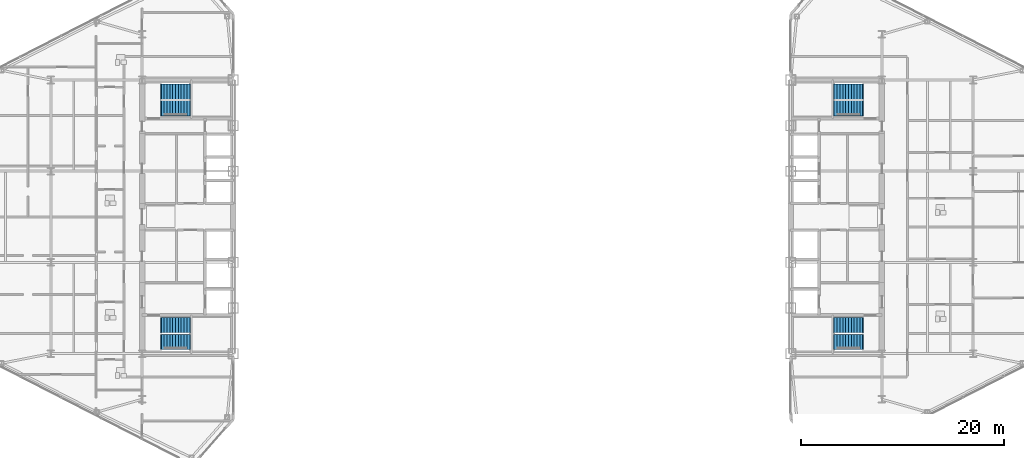
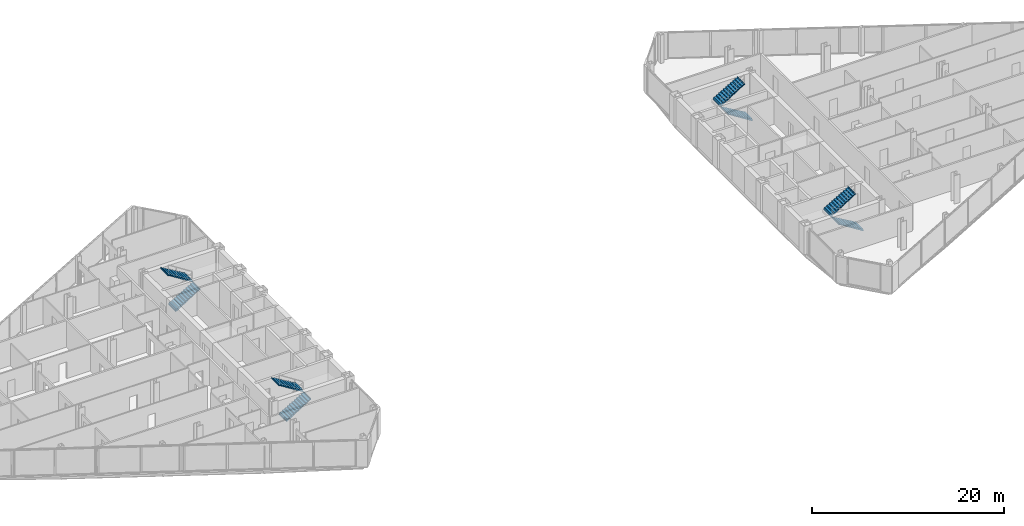
# One storey, part 22 of 24: 8 stair flights, 4 elements without a shape of their own.
"""IFC4 building model written with IfcOpenShell, lengths in metres."""

from ifc_helpers import new_model, si_unit, direction, frame, origin, place, context, subcontext, project, spatial, polyline, outline, extrude, material, type_object, element, aggregate, save


model = new_model("IFC4")

# Units and contexts
model_context = context("Model", 3, precision=1e-05, world=origin(), true_north=direction((0.0, 1.0)))
body_context = subcontext(model_context, "Body", "Model", "MODEL_VIEW")
ifc_project = project(units=[si_unit("LENGTHUNIT", "METRE"), si_unit("AREAUNIT", "SQUARE_METRE"), si_unit("VOLUMEUNIT", "CUBIC_METRE"), si_unit("PLANEANGLEUNIT", "RADIAN"), si_unit("MASSUNIT", "GRAM", prefix="KILO")], contexts=[model_context])

# Site, building, storey
site_placement = place(None, origin())
site = spatial("IfcSite", under=ifc_project, at=site_placement, CompositionType="ELEMENT")
building_placement = place(site_placement, origin())
building = spatial("IfcBuilding", under=site, at=building_placement, Name="Seokmaru Belvedere", CompositionType="ELEMENT")
storey_placement = place(building_placement, frame((0.0, 0.0, 140.39990234375)))
storey = spatial("IfcBuildingStorey", under=building, at=storey_placement, Name="L37", CompositionType="ELEMENT", Elevation=140.39990234375)

# Stair, stair flights
ifc_material = material(Name="Concrete C40 (40 MPa)", Category="concrete")
stair_type = type_object("IfcStairType", Name="Typical Tower Core Dog-Leg Stair 3600", PredefinedType="TWO_STRAIGHT_RUN_STAIR", material=ifc_material)
stair_1_placement = place(storey_placement, origin())
stair_1 = element("IfcStair", 1, at=stair_1_placement, inside=storey, type_object=stair_type, Name="L37 Special Escape Stair ST-W1", PredefinedType="TWO_STRAIGHT_RUN_STAIR")
stair_flight_type = type_object("IfcStairFlightType", Name="Reinforced Concrete Stair Flight 1500", PredefinedType="STRAIGHT", material=ifc_material)
stair_flight_1_placement = place(storey_placement, frame((-34.60009765625, -12.35009765625, 0.0), z_axis=(0.0, 0.0, 1.0), x_axis=(1.0, 0.0, 0.0)))
stair_flight_1 = element("IfcStairFlight", 2, at=stair_flight_1_placement, type_object=stair_flight_type, Name="ST-W1 flight 1", NumberOfRisers=11, NumberOfTreads=10, PredefinedType="STRAIGHT", RiserHeight=0.163636364, TreadLength=0.28, context=body_context, shape_type="SweptSolid", body=[
    extrude(outline(polyline([(-0.080078125, 0.0), (0.0, 0.16357421875), (0.280029296875, 0.16357421875), (0.280029296875, 0.327392578125), (0.56005859375, 0.327392578125), (0.56005859375, 0.490966796875), (0.840087890625, 0.490966796875), (0.840087890625, 0.654541015625), (1.1201171875, 0.654541015625), (1.1201171875, 0.818115234375), (1.39990234375, 0.818115234375), (1.39990234375, 0.98193359375), (1.679931640625, 0.98193359375), (1.679931640625, 1.1455078125), (1.9599609375, 1.1455078125), (1.9599609375, 1.30908203125), (2.239990234375, 1.30908203125), (2.239990234375, 1.47265625), (2.52001953125, 1.47265625), (2.52001953125, 1.636474609375), (2.800048828125, 1.636474609375), (2.800048828125, 1.800048828125), (2.8798828125, 1.800048828125), (2.8798828125, 1.610107421875), (2.800048828125, 1.610107421875), (0.0, -0.159912109375), (-0.080078125, -0.159912109375), (-0.080078125, 0.0)])), frame((0.0, 0.75, 0.0), z_axis=(0.0, -1.0, 0.0), x_axis=(1.0, 0.0, 0.0)), (0.0, 0.0, 1.0), 1.5),
])
stair_flight_2_placement = place(storey_placement, frame((-31.800048828125, -10.7099609375, 1.800048828125), z_axis=(0.0, 0.0, 1.0), x_axis=(-1.0, 0.0, 0.0)))
stair_flight_2 = element("IfcStairFlight", 3, at=stair_flight_2_placement, type_object=stair_flight_type, Name="ST-W1 flight 2", NumberOfRisers=11, NumberOfTreads=10, PredefinedType="STRAIGHT", RiserHeight=0.163636364, TreadLength=0.28, context=body_context, shape_type="SweptSolid", body=[
    extrude(outline(polyline([(-0.080078125, 0.0), (0.0, 0.16357421875), (0.280029296875, 0.16357421875), (0.280029296875, 0.327392578125), (0.56005859375, 0.327392578125), (0.56005859375, 0.490966796875), (0.840087890625, 0.490966796875), (0.840087890625, 0.654541015625), (1.1201171875, 0.654541015625), (1.1201171875, 0.818115234375), (1.39990234375, 0.818115234375), (1.39990234375, 0.98193359375), (1.679931640625, 0.98193359375), (1.679931640625, 1.1455078125), (1.9599609375, 1.1455078125), (1.9599609375, 1.30908203125), (2.239990234375, 1.30908203125), (2.239990234375, 1.47265625), (2.52001953125, 1.47265625), (2.52001953125, 1.636474609375), (2.800048828125, 1.636474609375), (2.800048828125, 1.800048828125), (2.8798828125, 1.800048828125), (2.8798828125, 1.610107421875), (2.800048828125, 1.610107421875), (0.0, -0.159912109375), (-0.080078125, -0.159912109375), (-0.080078125, 0.0)])), frame((0.0, 0.75, 0.0), z_axis=(0.0, -1.0, 0.0), x_axis=(1.0, 0.0, 0.0)), (0.0, 0.0, 1.0), 1.5),
])
aggregate(stair_1, [stair_flight_1, stair_flight_2])

stair_2_placement = place(storey_placement, origin())
stair_2 = element("IfcStair", 4, at=stair_2_placement, inside=storey, type_object=stair_type, Name="L37 Special Escape Stair ST-W2", PredefinedType="TWO_STRAIGHT_RUN_STAIR")
stair_flight_3_placement = place(storey_placement, frame((-34.60009765625, 10.7099609375, 0.0), z_axis=(0.0, 0.0, 1.0), x_axis=(1.0, 0.0, 0.0)))
stair_flight_3 = element("IfcStairFlight", 5, at=stair_flight_3_placement, type_object=stair_flight_type, Name="ST-W2 flight 1", NumberOfRisers=11, NumberOfTreads=10, PredefinedType="STRAIGHT", RiserHeight=0.163636364, TreadLength=0.28, context=body_context, shape_type="SweptSolid", body=[
    extrude(outline(polyline([(-0.080078125, 0.0), (0.0, 0.16357421875), (0.280029296875, 0.16357421875), (0.280029296875, 0.327392578125), (0.56005859375, 0.327392578125), (0.56005859375, 0.490966796875), (0.840087890625, 0.490966796875), (0.840087890625, 0.654541015625), (1.1201171875, 0.654541015625), (1.1201171875, 0.818115234375), (1.39990234375, 0.818115234375), (1.39990234375, 0.98193359375), (1.679931640625, 0.98193359375), (1.679931640625, 1.1455078125), (1.9599609375, 1.1455078125), (1.9599609375, 1.30908203125), (2.239990234375, 1.30908203125), (2.239990234375, 1.47265625), (2.52001953125, 1.47265625), (2.52001953125, 1.636474609375), (2.800048828125, 1.636474609375), (2.800048828125, 1.800048828125), (2.8798828125, 1.800048828125), (2.8798828125, 1.610107421875), (2.800048828125, 1.610107421875), (0.0, -0.159912109375), (-0.080078125, -0.159912109375), (-0.080078125, 0.0)])), frame((0.0, 0.75, 0.0), z_axis=(0.0, -1.0, 0.0), x_axis=(1.0, 0.0, 0.0)), (0.0, 0.0, 1.0), 1.5),
])
stair_flight_4_placement = place(storey_placement, frame((-31.800048828125, 12.35009765625, 1.800048828125), z_axis=(0.0, 0.0, 1.0), x_axis=(-1.0, 0.0, 0.0)))
stair_flight_4 = element("IfcStairFlight", 6, at=stair_flight_4_placement, type_object=stair_flight_type, Name="ST-W2 flight 2", NumberOfRisers=11, NumberOfTreads=10, PredefinedType="STRAIGHT", RiserHeight=0.163636364, TreadLength=0.28, context=body_context, shape_type="SweptSolid", body=[
    extrude(outline(polyline([(-0.080078125, 0.0), (0.0, 0.16357421875), (0.280029296875, 0.16357421875), (0.280029296875, 0.327392578125), (0.56005859375, 0.327392578125), (0.56005859375, 0.490966796875), (0.840087890625, 0.490966796875), (0.840087890625, 0.654541015625), (1.1201171875, 0.654541015625), (1.1201171875, 0.818115234375), (1.39990234375, 0.818115234375), (1.39990234375, 0.98193359375), (1.679931640625, 0.98193359375), (1.679931640625, 1.1455078125), (1.9599609375, 1.1455078125), (1.9599609375, 1.30908203125), (2.239990234375, 1.30908203125), (2.239990234375, 1.47265625), (2.52001953125, 1.47265625), (2.52001953125, 1.636474609375), (2.800048828125, 1.636474609375), (2.800048828125, 1.800048828125), (2.8798828125, 1.800048828125), (2.8798828125, 1.610107421875), (2.800048828125, 1.610107421875), (0.0, -0.159912109375), (-0.080078125, -0.159912109375), (-0.080078125, 0.0)])), frame((0.0, 0.75, 0.0), z_axis=(0.0, -1.0, 0.0), x_axis=(1.0, 0.0, 0.0)), (0.0, 0.0, 1.0), 1.5),
])
aggregate(stair_2, [stair_flight_3, stair_flight_4])

stair_3_placement = place(storey_placement, origin())
stair_3 = element("IfcStair", 7, at=stair_3_placement, inside=storey, type_object=stair_type, Name="L37 Special Escape Stair ST-E1", PredefinedType="TWO_STRAIGHT_RUN_STAIR")
stair_flight_5_placement = place(storey_placement, frame((34.60009765625, -12.35009765625, 0.0), z_axis=(0.0, 0.0, 1.0), x_axis=(-1.0, 0.0, 0.0)))
stair_flight_5 = element("IfcStairFlight", 8, at=stair_flight_5_placement, type_object=stair_flight_type, Name="ST-E1 flight 1", NumberOfRisers=11, NumberOfTreads=10, PredefinedType="STRAIGHT", RiserHeight=0.163636364, TreadLength=0.28, context=body_context, shape_type="SweptSolid", body=[
    extrude(outline(polyline([(-0.080078125, 0.0), (0.0, 0.16357421875), (0.280029296875, 0.16357421875), (0.280029296875, 0.327392578125), (0.56005859375, 0.327392578125), (0.56005859375, 0.490966796875), (0.840087890625, 0.490966796875), (0.840087890625, 0.654541015625), (1.1201171875, 0.654541015625), (1.1201171875, 0.818115234375), (1.39990234375, 0.818115234375), (1.39990234375, 0.98193359375), (1.679931640625, 0.98193359375), (1.679931640625, 1.1455078125), (1.9599609375, 1.1455078125), (1.9599609375, 1.30908203125), (2.239990234375, 1.30908203125), (2.239990234375, 1.47265625), (2.52001953125, 1.47265625), (2.52001953125, 1.636474609375), (2.800048828125, 1.636474609375), (2.800048828125, 1.800048828125), (2.8798828125, 1.800048828125), (2.8798828125, 1.610107421875), (2.800048828125, 1.610107421875), (0.0, -0.159912109375), (-0.080078125, -0.159912109375), (-0.080078125, 0.0)])), frame((0.0, 0.75, 0.0), z_axis=(0.0, -1.0, 0.0), x_axis=(1.0, 0.0, 0.0)), (0.0, 0.0, 1.0), 1.5),
])
stair_flight_6_placement = place(storey_placement, frame((31.800048828125, -10.7099609375, 1.800048828125), z_axis=(0.0, 0.0, 1.0), x_axis=(1.0, 0.0, 0.0)))
stair_flight_6 = element("IfcStairFlight", 9, at=stair_flight_6_placement, type_object=stair_flight_type, Name="ST-E1 flight 2", NumberOfRisers=11, NumberOfTreads=10, PredefinedType="STRAIGHT", RiserHeight=0.163636364, TreadLength=0.28, context=body_context, shape_type="SweptSolid", body=[
    extrude(outline(polyline([(-0.080078125, 0.0), (0.0, 0.16357421875), (0.280029296875, 0.16357421875), (0.280029296875, 0.327392578125), (0.56005859375, 0.327392578125), (0.56005859375, 0.490966796875), (0.840087890625, 0.490966796875), (0.840087890625, 0.654541015625), (1.1201171875, 0.654541015625), (1.1201171875, 0.818115234375), (1.39990234375, 0.818115234375), (1.39990234375, 0.98193359375), (1.679931640625, 0.98193359375), (1.679931640625, 1.1455078125), (1.9599609375, 1.1455078125), (1.9599609375, 1.30908203125), (2.239990234375, 1.30908203125), (2.239990234375, 1.47265625), (2.52001953125, 1.47265625), (2.52001953125, 1.636474609375), (2.800048828125, 1.636474609375), (2.800048828125, 1.800048828125), (2.8798828125, 1.800048828125), (2.8798828125, 1.610107421875), (2.800048828125, 1.610107421875), (0.0, -0.159912109375), (-0.080078125, -0.159912109375), (-0.080078125, 0.0)])), frame((0.0, 0.75, 0.0), z_axis=(0.0, -1.0, 0.0), x_axis=(1.0, 0.0, 0.0)), (0.0, 0.0, 1.0), 1.5),
])
aggregate(stair_3, [stair_flight_5, stair_flight_6])

stair_4_placement = place(storey_placement, origin())
stair_4 = element("IfcStair", 10, at=stair_4_placement, inside=storey, type_object=stair_type, Name="L37 Special Escape Stair ST-E2", PredefinedType="TWO_STRAIGHT_RUN_STAIR")
stair_flight_7_placement = place(storey_placement, frame((34.60009765625, 10.7099609375, 0.0), z_axis=(0.0, 0.0, 1.0), x_axis=(-1.0, 0.0, 0.0)))
stair_flight_7 = element("IfcStairFlight", 11, at=stair_flight_7_placement, type_object=stair_flight_type, Name="ST-E2 flight 1", NumberOfRisers=11, NumberOfTreads=10, PredefinedType="STRAIGHT", RiserHeight=0.163636364, TreadLength=0.28, context=body_context, shape_type="SweptSolid", body=[
    extrude(outline(polyline([(-0.080078125, 0.0), (0.0, 0.16357421875), (0.280029296875, 0.16357421875), (0.280029296875, 0.327392578125), (0.56005859375, 0.327392578125), (0.56005859375, 0.490966796875), (0.840087890625, 0.490966796875), (0.840087890625, 0.654541015625), (1.1201171875, 0.654541015625), (1.1201171875, 0.818115234375), (1.39990234375, 0.818115234375), (1.39990234375, 0.98193359375), (1.679931640625, 0.98193359375), (1.679931640625, 1.1455078125), (1.9599609375, 1.1455078125), (1.9599609375, 1.30908203125), (2.239990234375, 1.30908203125), (2.239990234375, 1.47265625), (2.52001953125, 1.47265625), (2.52001953125, 1.636474609375), (2.800048828125, 1.636474609375), (2.800048828125, 1.800048828125), (2.8798828125, 1.800048828125), (2.8798828125, 1.610107421875), (2.800048828125, 1.610107421875), (0.0, -0.159912109375), (-0.080078125, -0.159912109375), (-0.080078125, 0.0)])), frame((0.0, 0.75, 0.0), z_axis=(0.0, -1.0, 0.0), x_axis=(1.0, 0.0, 0.0)), (0.0, 0.0, 1.0), 1.5),
])
stair_flight_8_placement = place(storey_placement, frame((31.800048828125, 12.35009765625, 1.800048828125), z_axis=(0.0, 0.0, 1.0), x_axis=(1.0, 0.0, 0.0)))
stair_flight_8 = element("IfcStairFlight", 12, at=stair_flight_8_placement, type_object=stair_flight_type, Name="ST-E2 flight 2", NumberOfRisers=11, NumberOfTreads=10, PredefinedType="STRAIGHT", RiserHeight=0.163636364, TreadLength=0.28, context=body_context, shape_type="SweptSolid", body=[
    extrude(outline(polyline([(-0.080078125, 0.0), (0.0, 0.16357421875), (0.280029296875, 0.16357421875), (0.280029296875, 0.327392578125), (0.56005859375, 0.327392578125), (0.56005859375, 0.490966796875), (0.840087890625, 0.490966796875), (0.840087890625, 0.654541015625), (1.1201171875, 0.654541015625), (1.1201171875, 0.818115234375), (1.39990234375, 0.818115234375), (1.39990234375, 0.98193359375), (1.679931640625, 0.98193359375), (1.679931640625, 1.1455078125), (1.9599609375, 1.1455078125), (1.9599609375, 1.30908203125), (2.239990234375, 1.30908203125), (2.239990234375, 1.47265625), (2.52001953125, 1.47265625), (2.52001953125, 1.636474609375), (2.800048828125, 1.636474609375), (2.800048828125, 1.800048828125), (2.8798828125, 1.800048828125), (2.8798828125, 1.610107421875), (2.800048828125, 1.610107421875), (0.0, -0.159912109375), (-0.080078125, -0.159912109375), (-0.080078125, 0.0)])), frame((0.0, 0.75, 0.0), z_axis=(0.0, -1.0, 0.0), x_axis=(1.0, 0.0, 0.0)), (0.0, 0.0, 1.0), 1.5),
])
aggregate(stair_4, [stair_flight_7, stair_flight_8])

save(model, "model.ifc")
